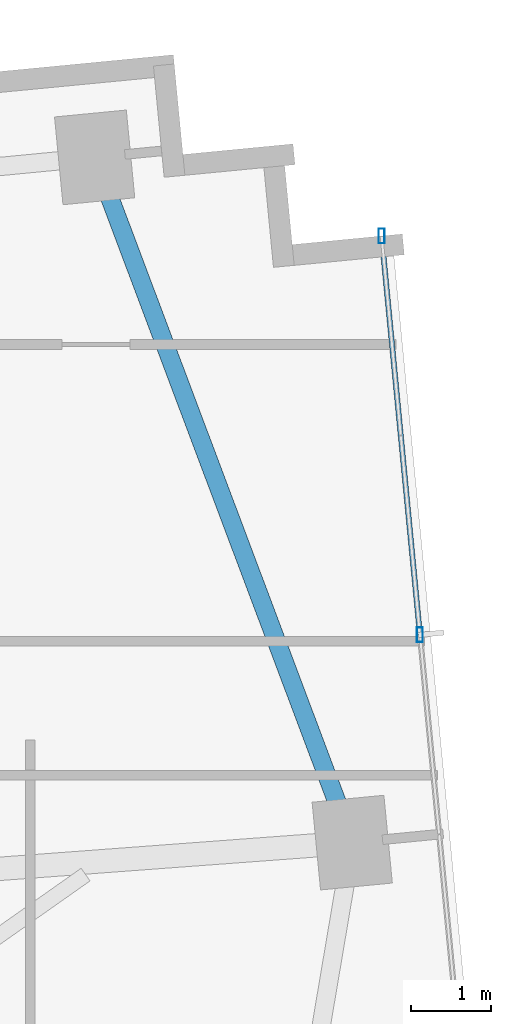
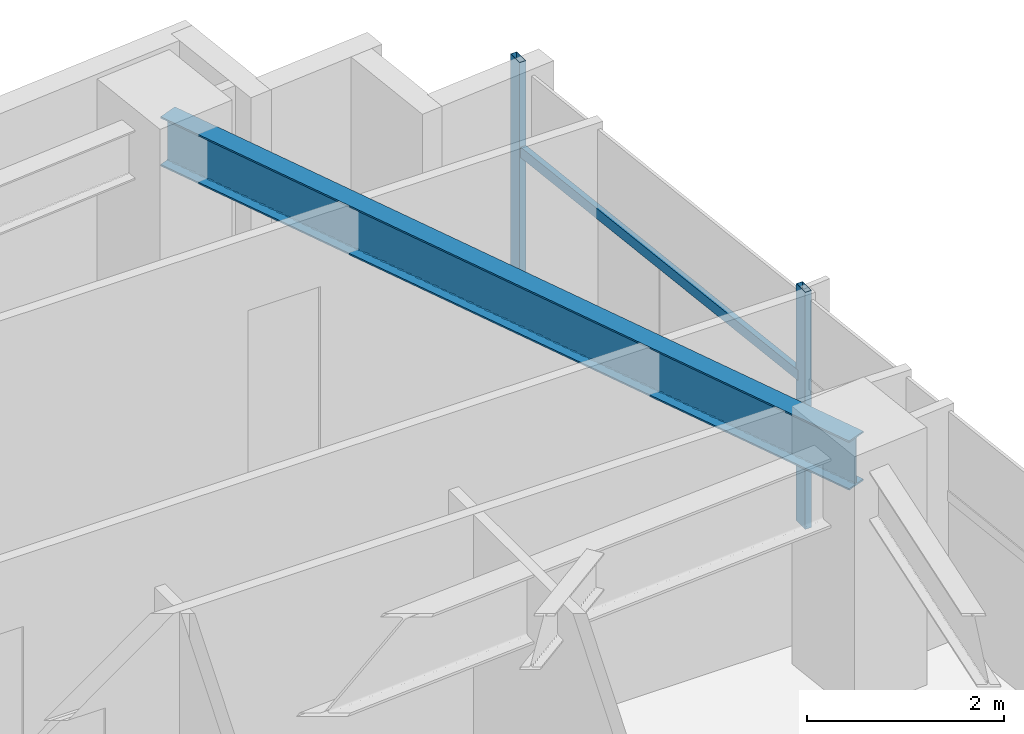
# One storey, part 19 of 27: 3 members, 1 beam, 1 element without a shape of its own.
"""IFC4 building model written with IfcOpenShell, lengths in metres."""

import ifcopenshell
import ifcopenshell.guid

model = None  # the IFC model being written
_history = None  # IfcOwnerHistory: only IFC2X3 demands one
_inside = {}  # id of a spatial element -> (the spatial element, [elements in it])
_under = {}  # id of a project, library or spatial element -> (it, [spatial elements below it])
_declared = {}  # id of a project -> (the project, [libraries it declares])
_typed = {}  # id of a type object -> (the type object, [elements of that type])
_made_of = {}  # id of a material, layer set ... -> (it, [elements and type objects made of it])


def new_model(schema):
    """Start an empty IFC model of exactly this schema.

    Asked for "IFC4X3", IfcOpenShell would pick the latest addendum, in which some entities
    have other attributes; the version numbers below select the first issue.
    IFC2X3 requires an IfcOwnerHistory on every rooted entity: one is made here for all.
    """
    global model, _history
    if schema == "IFC4X3":
        model = ifcopenshell.file(schema_version=(4, 3, 0, 0))
    else:
        model = ifcopenshell.file(schema=schema)
    _inside.clear()
    _under.clear()
    _declared.clear()
    _typed.clear()
    _made_of.clear()
    _history = None
    if model.schema == "IFC2X3":
        org = make("IfcOrganization", Name="unknown")
        user = make(
            "IfcPersonAndOrganization",
            ThePerson=make("IfcPerson", FamilyName="unknown"),
            TheOrganization=org,
        )
        app = make(
            "IfcApplication",
            ApplicationDeveloper=org,
            Version="unknown",
            ApplicationFullName="unknown",
            ApplicationIdentifier="unknown",
        )
        _history = make(
            "IfcOwnerHistory",
            OwningUser=user,
            OwningApplication=app,
            ChangeAction="ADDED",
            CreationDate=0,
        )
    return model


def make(cls, **values):
    """One entity of the class cls with the attributes given. An attribute that is None is left unset."""
    return model.create_entity(
        cls, **{name: value for name, value in values.items() if value is not None}
    )


def rooted(cls, **values):
    """An entity with a GlobalId (a new one), such as an element, a storey or a relation."""
    return make(cls, GlobalId=ifcopenshell.guid.new(), OwnerHistory=_history, **values)


def si_unit(unit_type, name, prefix=None):
    """IfcSIUnit, for example si_unit("LENGTHUNIT", "METRE", prefix="MILLI")."""
    return make("IfcSIUnit", UnitType=unit_type, Prefix=prefix, Name=name)


def assignment(units):
    """IfcUnitAssignment: the units of a project."""
    return None if units is None else make("IfcUnitAssignment", Units=units)


def point(xyz):
    """IfcCartesianPoint."""
    return None if xyz is None else make("IfcCartesianPoint", Coordinates=xyz)


def direction(xyz):
    """IfcDirection."""
    return None if xyz is None else make("IfcDirection", DirectionRatios=xyz)


def frame(location, z_axis=None, x_axis=None):
    """IfcAxis2Placement3D, a coordinate frame: its origin and axes. An axis left out is left unset."""
    return make(
        "IfcAxis2Placement3D",
        Location=point(location),
        Axis=direction(z_axis),
        RefDirection=direction(x_axis),
    )


def frame_2d(location, x_axis=None):
    """IfcAxis2Placement2D, a coordinate frame in the plane: its origin and x axis."""
    return make(
        "IfcAxis2Placement2D", Location=point(location), RefDirection=direction(x_axis)
    )


def origin():
    """The frame at (0, 0, 0) with its axes left unset."""
    return frame((0.0, 0.0, 0.0))


def origin_2d():
    """The frame at (0, 0) in the plane with its x axis left unset."""
    return frame_2d((0.0, 0.0))


def place(relative_to, where):
    """IfcLocalPlacement: puts the frame where relative to a parent placement (None: the world)."""
    return make(
        "IfcLocalPlacement", PlacementRelTo=relative_to, RelativePlacement=where
    )


def context(
    kind, dimensions, precision=None, world=None, true_north=None, identifier=None
):
    """IfcGeometricRepresentationContext, for example the 3D "Model" context."""
    return make(
        "IfcGeometricRepresentationContext",
        ContextIdentifier=identifier,
        ContextType=kind,
        CoordinateSpaceDimension=dimensions,
        Precision=precision,
        WorldCoordinateSystem=world,
        TrueNorth=true_north,
    )


def subcontext(parent, identifier, kind, view, scale=None):
    """IfcGeometricRepresentationSubContext, for example "Body" below "Model"."""
    return make(
        "IfcGeometricRepresentationSubContext",
        ContextIdentifier=identifier,
        ContextType=kind,
        ParentContext=parent,
        TargetScale=scale,
        TargetView=view,
    )


def project(units=None, contexts=None):
    """IfcProject with its units and contexts."""
    return rooted(
        "IfcProject",
        Name="project",
        RepresentationContexts=contexts,
        UnitsInContext=assignment(units),
    )


def spatial(cls, under=None, at=None, **own):
    """A site, building, storey or space (cls), placed at a placement, below another one or the project."""
    s = rooted(cls, ObjectPlacement=at, **own)
    if under is not None:
        _under.setdefault(under.id(), (under, []))[1].append(s)
    return s


def profile(cls, at=None, kind="AREA", **sizes):
    """A parametric profile (cls). Its sizes go by their IFC names, for example OverallWidth=200.0."""
    return make(cls, ProfileType=kind, Position=at, **sizes)


def hollow_rectangle(**sizes):
    """IfcRectangleHollowProfileDef."""
    return profile("IfcRectangleHollowProfileDef", **sizes)


def i_section(**sizes):
    """IfcIShapeProfileDef."""
    return profile("IfcIShapeProfileDef", **sizes)


def extrude(swept, where, along, depth):
    """IfcExtrudedAreaSolid: the profile swept, set in the frame where, extruded along a direction by depth."""
    return make(
        "IfcExtrudedAreaSolid",
        SweptArea=swept,
        Position=where,
        ExtrudedDirection=direction(along),
        Depth=depth,
    )


def shape(context_of_items, identifier, shape_type, items):
    """IfcShapeRepresentation: the items that make up one representation, for example the "Body"."""
    return make(
        "IfcShapeRepresentation",
        ContextOfItems=context_of_items,
        RepresentationIdentifier=identifier,
        RepresentationType=shape_type,
        Items=items,
    )


def source(mapping_origin, context_of_items, identifier, shape_type, items):
    """IfcRepresentationMap: a shape defined once, which mapped items show again and again."""
    return make(
        "IfcRepresentationMap",
        MappingOrigin=mapping_origin,
        MappedRepresentation=shape(context_of_items, identifier, shape_type, items),
    )


def transform(
    local_origin,
    x_axis=None,
    y_axis=None,
    z_axis=None,
    scale=None,
    scale2=None,
    scale3=None,
    uniform=True,
):
    """IfcCartesianTransformationOperator3D, or its non-uniform kind. x_axis, y_axis, z_axis: its Axis1, 2, 3."""
    if uniform:
        return make(
            "IfcCartesianTransformationOperator3D",
            Axis1=direction(x_axis),
            Axis2=direction(y_axis),
            LocalOrigin=point(local_origin),
            Scale=scale,
            Axis3=direction(z_axis),
        )
    return make(
        "IfcCartesianTransformationOperator3DnonUniform",
        Axis1=direction(x_axis),
        Axis2=direction(y_axis),
        LocalOrigin=point(local_origin),
        Scale=scale,
        Axis3=direction(z_axis),
        Scale2=scale2,
        Scale3=scale3,
    )


def mapped(mapping_source, mapping_target):
    """IfcMappedItem: shows the shape of a source again, moved by a transform."""
    return make(
        "IfcMappedItem", MappingSource=mapping_source, MappingTarget=mapping_target
    )


def material(Name=None, Category=None):
    """IfcMaterial."""
    return make("IfcMaterial", Name=Name, Category=Category)


def material_profile(
    of_material, cross_section, Name=None, Category=None, Priority=None
):
    """IfcMaterialProfile: a cross section and its material."""
    return make(
        "IfcMaterialProfile",
        Name=Name,
        Material=of_material,
        Profile=cross_section,
        Priority=Priority,
        Category=Category,
    )


def profile_set(profiles, Name=None, composite=None):
    """IfcMaterialProfileSet."""
    return make(
        "IfcMaterialProfileSet",
        Name=Name,
        MaterialProfiles=profiles,
        CompositeProfile=composite,
    )


def made_of(thing, what):
    """Note that an element or type object is made of a material, layer set ...; save() writes the relation."""
    if what is not None:
        _made_of.setdefault(what.id(), (what, []))[1].append(thing)
    return thing


def type_object(cls, material=None, **own):
    """A type object (cls), such as IfcWallType, which elements share."""
    return made_of(rooted(cls, **own), material)


def type_shapes(of_type, sources):
    """Give a type object the sources (RepresentationMaps) that its elements show as mapped items."""
    of_type.RepresentationMaps = sources


def element(
    cls,
    number,
    at=None,
    inside=None,
    cuts=None,
    type_object=None,
    material=None,
    context=None,
    identifier="Body",
    shape_type=None,
    held_by="IfcProductDefinitionShape",
    body=None,
    shapes=None,
    **own,
):
    """One element of the class cls, such as IfcWall. Its Tag is "e" and its number.

    at: its placement. inside: the storey or other place that contains it. cuts: it is an
    opening in that element (IfcRelVoidsElement). A single representation is given by context,
    identifier, shape_type and body (its items); several are given by shapes. held_by: the class
    of the entity that holds the representations. save() writes the other relations.
    """
    e = rooted(cls, Tag="e%d" % number, ObjectPlacement=at, **own)
    if body is not None:
        shapes = [shape(context, identifier, shape_type, body)]
    if shapes is not None:
        e.Representation = make(held_by, Representations=shapes)
    if inside is not None:
        _inside.setdefault(inside.id(), (inside, []))[1].append(e)
    if cuts is not None:
        rooted(
            "IfcRelVoidsElement", RelatingBuildingElement=cuts, RelatedOpeningElement=e
        )
    if type_object is not None:
        _typed.setdefault(type_object.id(), (type_object, []))[1].append(e)
    return made_of(e, material)


def aggregate(whole, parts):
    """IfcRelAggregates: a whole, such as a stair, and the parts it consists of."""
    return rooted("IfcRelAggregates", RelatingObject=whole, RelatedObjects=parts)


def save(model, path):
    """Write the relations noted so far, then the file.

    IfcRelAggregates (storeys below a building ...), IfcRelContainedInSpatialStructure (elements
    in a storey), IfcRelDefinesByType, IfcRelAssociatesMaterial and IfcRelDeclares: one each for
    every whole, place, type object, material and project.
    """
    for whole, parts in _under.values():
        aggregate(whole, parts)
    for where, things in _inside.values():
        rooted(
            "IfcRelContainedInSpatialStructure",
            RelatedElements=things,
            RelatingStructure=where,
        )
    for kind, things in _typed.values():
        rooted("IfcRelDefinesByType", RelatedObjects=things, RelatingType=kind)
    for what, things in _made_of.values():
        rooted("IfcRelAssociatesMaterial", RelatedObjects=things, RelatingMaterial=what)
    for by, libraries in _declared.values():
        rooted("IfcRelDeclares", RelatingContext=by, RelatedDefinitions=libraries)
    model.write(path)


model = new_model("IFC4")

# Units and contexts
model_context = context("Model", 3, precision=1e-05, world=origin(), true_north=direction((0.0, 1.0)))
body_context = subcontext(model_context, "Body", "Model", "MODEL_VIEW")
ifc_project = project(units=[si_unit("LENGTHUNIT", "METRE"), si_unit("AREAUNIT", "SQUARE_METRE"), si_unit("VOLUMEUNIT", "CUBIC_METRE"), si_unit("PLANEANGLEUNIT", "RADIAN"), si_unit("MASSUNIT", "GRAM", prefix="KILO")], contexts=[model_context])

# Site, building, storey
site_placement = place(None, origin())
site = spatial("IfcSite", under=ifc_project, at=site_placement, CompositionType="ELEMENT")
building_placement = place(site_placement, origin())
building = spatial("IfcBuilding", under=site, at=building_placement, Name="Astriad Promenade Condominiums", CompositionType="ELEMENT")
storey_placement = place(building_placement, frame((0.0, 0.0, 84.199951171875)))
storey = spatial("IfcBuildingStorey", under=building, at=storey_placement, Name="L23", CompositionType="ELEMENT", Elevation=84.199951171875)

# Beam
ifc_material_1 = material(Name="Steel ASTM A992 Grade 50", Category="steel")
ifc_material_profile_1 = material_profile(ifc_material_1, i_section(OverallWidth=0.22900390625, OverallDepth=0.612060546875, WebThickness=0.011962890625, FlangeThickness=0.01953125, FilletRadius=0.017822265625, at=origin_2d()), Name="W24X84")
ifc_profile_set_1 = profile_set([ifc_material_profile_1], Name="Steel ASTM A992 Grade 50")
beam_type = type_object("IfcBeamType", Name="STEEL SPANDREL BEAM W24X84", PredefinedType="SPANDREL", material=ifc_profile_set_1)
shared_shape_1 = source(origin(), body_context, "Body", "SweptSolid", [
    extrude(i_section(OverallWidth=0.22900390625, OverallDepth=0.612060546875, WebThickness=0.011962890625, FlangeThickness=0.01953125, FilletRadius=0.017822265625, at=origin_2d()), origin(), (0.0, 0.0, 1.0), 9.0556640625),
])
type_shapes(beam_type, [shared_shape_1])
beam_placement = place(storey_placement, frame((67.63427734375, 19.07666015625, 2.634033203125), z_axis=(-0.351856057459, 0.936054119605, 0.0), x_axis=(-0.936054119605, -0.351856057459, 0.0)))
element("IfcBeam", 1, at=beam_placement, inside=storey, type_object=beam_type, Name="Perimeter Spandrel Beam SP-E2-L23", PredefinedType="SPANDREL", context=body_context, shape_type="MappedRepresentation", body=[
    mapped(shared_shape_1, transform((0.0, 0.0, 0.0), scale=1.0)),
])

# Curtain wall, members
ifc_material_2 = material(Name="Anodised aluminium Black Dark Glass Unitised", Category="aluminium")
curtain_wall_type = type_object("IfcCurtainWallType", Name="CW-B2-DARK", PredefinedType="USERDEFINED", material=ifc_material_2)
curtain_wall_placement = place(storey_placement, origin())
curtain_wall = element("IfcCurtainWall", 2, at=curtain_wall_placement, inside=storey, type_object=curtain_wall_type, Name="CW-L23-E", ObjectType="UNITISED_CURTAIN_WALL", PredefinedType="USERDEFINED")
ifc_material_3 = material(Name="Anodised aluminium 6063-T6 Black", Category="aluminium")
ifc_material_profile_2 = material_profile(ifc_material_3, hollow_rectangle(XDim=0.074951171875, YDim=0.18505859375, WallThickness=0.00439453125, at=origin_2d()), Name="ALU-MUL-75X185")
ifc_profile_set_2 = profile_set([ifc_material_profile_2], Name="Anodised aluminium 6063-T6 Black")
member_type_1 = type_object("IfcMemberType", Name="MUL-ALU-MUL-75X185", PredefinedType="MULLION", material=ifc_profile_set_2)
shared_shape_2 = source(origin(), body_context, "Body", "SweptSolid", [
    extrude(hollow_rectangle(XDim=0.074951171875, YDim=0.18505859375, WallThickness=0.00439453125, at=origin_2d()), origin(), (0.0, 0.0, 1.0), 2.93994140625),
])
type_shapes(member_type_1, [shared_shape_2])
member_1_placement = place(storey_placement, frame((68.0146484375, 26.609130859375, 0.0), z_axis=(0.0, 0.0, 1.0), x_axis=(1.0, 0.0, 0.0)))
member_1 = element("IfcMember", 3, at=member_1_placement, type_object=member_type_1, Name="CW-L23-E-MUL-00", PredefinedType="MULLION", context=body_context, shape_type="MappedRepresentation", body=[
    mapped(shared_shape_2, transform((0.0, 0.0, 0.0), scale=1.0)),
])
member_2_placement = place(storey_placement, frame((68.493896484375, 21.632080078125, 0.0), z_axis=(0.0, 0.0, 1.0), x_axis=(1.0, 0.0, 0.0)))
member_2 = element("IfcMember", 4, at=member_2_placement, type_object=member_type_1, Name="CW-L23-E-MUL-01", PredefinedType="MULLION", context=body_context, shape_type="MappedRepresentation", body=[
    mapped(shared_shape_2, transform((0.0, 0.0, 0.0), scale=1.0)),
])
ifc_material_profile_3 = material_profile(ifc_material_3, hollow_rectangle(XDim=0.06494140625, YDim=0.1298828125, WallThickness=0.00390625, at=origin_2d()), Name="ALU-TRN-65X130")
ifc_profile_set_3 = profile_set([ifc_material_profile_3], Name="Anodised aluminium 6063-T6 Black")
member_type_2 = type_object("IfcMemberType", Name="TRN-ALU-TRN-65X130", PredefinedType="USERDEFINED", material=ifc_profile_set_3)
shared_shape_3 = source(origin(), body_context, "Body", "SweptSolid", [
    extrude(hollow_rectangle(XDim=0.06494140625, YDim=0.1298828125, WallThickness=0.00390625, at=origin_2d()), origin(), (0.0, 0.0, 1.0), 5.0),
])
type_shapes(member_type_2, [shared_shape_3])
member_3_placement = place(storey_placement, frame((68.0146484375, 26.609130859375, 1.82275390625), z_axis=(0.095848242264, -0.995395958629, 0.0), x_axis=(0.995395958629, 0.095848242264, 0.0)))
member_3 = element("IfcMember", 5, at=member_3_placement, type_object=member_type_2, Name="CW-L23-E-TRN-00-0", ObjectType="TRANSOM", PredefinedType="USERDEFINED", context=body_context, shape_type="MappedRepresentation", body=[
    mapped(shared_shape_3, transform((0.0, 0.0, 0.0), scale=1.0)),
])
aggregate(curtain_wall, [member_1, member_2, member_3])

save(model, "model.ifc")
